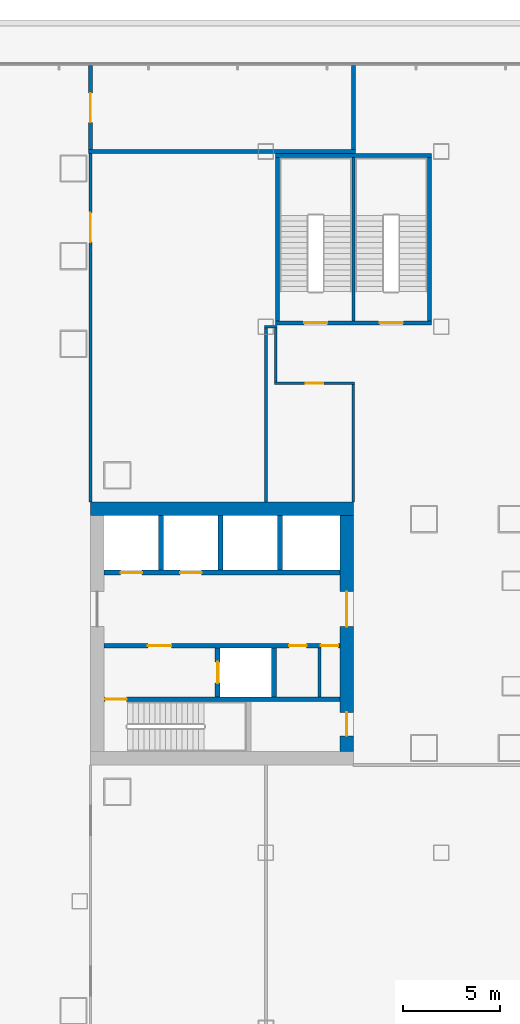
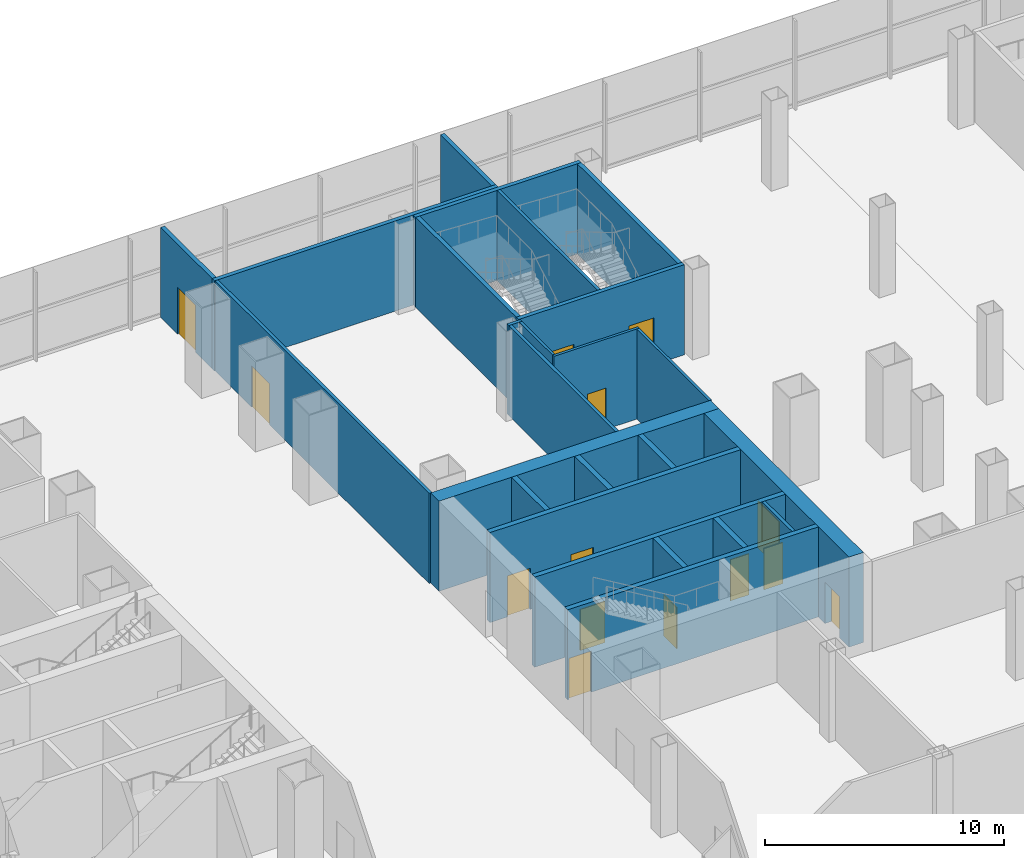
# One storey, part 22 of 33: 25 walls, 14 doors, 14 openings.
"""IFC4 building model written with IfcOpenShell, lengths in metres."""

from ifc_helpers import new_model, si_unit, direction, frame, frame_2d, origin, place, context, subcontext, project, spatial, rectangle, extrude, material, layer, layer_set, type_object, element, fill, save


model = new_model("IFC4")

# Units and contexts
model_context = context("Model", 3, precision=1e-05, world=origin(), true_north=direction((0.0, 1.0)))
body_context = subcontext(model_context, "Body", "Model", "MODEL_VIEW")
ifc_project = project(units=[si_unit("LENGTHUNIT", "METRE"), si_unit("AREAUNIT", "SQUARE_METRE"), si_unit("VOLUMEUNIT", "CUBIC_METRE"), si_unit("PLANEANGLEUNIT", "RADIAN"), si_unit("MASSUNIT", "GRAM", prefix="KILO")], contexts=[model_context])

# Site, building, storey
site_placement = place(None, origin())
site = spatial("IfcSite", under=ifc_project, at=site_placement, CompositionType="ELEMENT")
building_placement = place(site_placement, origin())
building = spatial("IfcBuilding", under=site, at=building_placement, Name="Shamsa Quay Exchange Towers", CompositionType="ELEMENT")
storey_placement = place(building_placement, frame((0.0, 0.0, 18.5)))
storey = spatial("IfcBuildingStorey", under=building, at=storey_placement, Name="L03", CompositionType="ELEMENT", Elevation=18.5)

# Wall
ifc_material_1 = material(Name="Concrete C80/95", Category="concrete")
ifc_layer_1 = layer(ifc_material_1, 0.699951171875)
ifc_layer_set_1 = layer_set([ifc_layer_1], Name="CORE WALL 700 C80/95")
wall_type_1 = type_object("IfcWallType", Name="CORE WALL 700 C80/95", PredefinedType="SHEAR", material=ifc_layer_set_1)
wall_1_placement = place(storey_placement, frame((-27.0, 6.39990234375, 0.0)))
element("IfcWall", 1, at=wall_1_placement, inside=storey, type_object=wall_type_1, Name="Core wall T1A-L03-PN", PredefinedType="SHEAR", context=body_context, shape_type="SweptSolid", body=[
    extrude(rectangle(XDim=13.5, YDim=0.699951171875, at=frame_2d((6.75, 0.0))), origin(), (0.0, 0.0, 1.0), 4.60009765625),
])

# Wall, openings, doors
wall_2_placement = place(storey_placement, frame((-13.85009765625, 6.050048828125, 0.0), z_axis=(0.0, 0.0, 1.0), x_axis=(0.0, -1.0, 0.0)))
wall_2 = element("IfcWall", 2, at=wall_2_placement, inside=storey, type_object=wall_type_1, Name="Core wall T1A-L03-PB", PredefinedType="SHEAR", context=body_context, shape_type="SweptSolid", body=[
    extrude(rectangle(XDim=12.10009765625, YDim=0.699951171875, at=frame_2d((6.050048828125, 0.0))), origin(), (0.0, 0.0, 1.0), 4.60009765625),
])
opening_1_placement = place(wall_2_placement, frame((10.10009765625, 0.0, 0.0)))
opening_1 = element("IfcOpeningElement", 3, at=opening_1_placement, cuts=wall_2, Name="Opening T1A-L03-RD02", PredefinedType="OPENING", context=body_context, shape_type="SweptSolid", body=[
    extrude(rectangle(XDim=1.199951171875, YDim=2.10009765625, at=frame_2d((0.60009765625, 1.050048828125))), frame((0.0, 0.35986328125, 0.0), z_axis=(0.0, -1.0, 0.0), x_axis=(1.0, 0.0, 0.0)), (0.0, 0.0, 1.0), 0.719970703125),
])
opening_2_placement = place(wall_2_placement, frame((3.89990234375, 0.0, 0.0)))
opening_2 = element("IfcOpeningElement", 4, at=opening_2_placement, cuts=wall_2, Name="Opening T1A-L03-LBD03", PredefinedType="OPENING", context=body_context, shape_type="SweptSolid", body=[
    extrude(rectangle(XDim=1.800048828125, YDim=2.39990234375, at=frame_2d((0.89990234375, 1.199951171875))), frame((0.0, 0.35986328125, 0.0), z_axis=(0.0, -1.0, 0.0), x_axis=(1.0, 0.0, 0.0)), (0.0, 0.0, 1.0), 0.719970703125),
])
ifc_material_2 = material(Name="Steel, fire rated", Category="steel")
door_type_1 = type_object("IfcDoorType", Name="LIFT LOBBY DOOR PAIR 1800", OperationType="DOUBLE_DOOR_SINGLE_SWING", PredefinedType="DOOR", material=ifc_material_2)
door_1_placement = place(opening_2_placement, origin())
door_1 = element("IfcDoor", 5, at=door_1_placement, inside=storey, type_object=door_type_1, Name="T1A-L03-LBD03", OperationType="DOUBLE_DOOR_SINGLE_SWING", OverallHeight=2.39990234375, OverallWidth=1.800048828125, PredefinedType="DOOR", context=body_context, shape_type="SweptSolid", body=[
    extrude(rectangle(XDim=1.800048828125, YDim=2.39990234375, at=frame_2d((0.89990234375, 1.199951171875))), frame((0.0, 0.02490234375, 0.0), z_axis=(0.0, -1.0, 0.0), x_axis=(1.0, 0.0, 0.0)), (0.0, 0.0, 1.0), 0.050048828125),
])
fill(opening_2, door_1)
door_type_2 = type_object("IfcDoorType", Name="RISER ACCESS DOOR 1200", OperationType="SINGLE_SWING_LEFT", PredefinedType="DOOR", material=ifc_material_2)
door_2_placement = place(opening_1_placement, origin())
door_2 = element("IfcDoor", 6, at=door_2_placement, inside=storey, type_object=door_type_2, Name="T1A-L03-RD02", OperationType="SINGLE_SWING_RIGHT", OverallHeight=2.10009765625, OverallWidth=1.199951171875, PredefinedType="DOOR", context=body_context, shape_type="SweptSolid", body=[
    extrude(rectangle(XDim=1.199951171875, YDim=2.10009765625, at=frame_2d((0.60009765625, 1.050048828125))), frame((0.0, 0.02490234375, 0.0), z_axis=(0.0, -1.0, 0.0), x_axis=(1.0, 0.0, 0.0)), (0.0, 0.0, 1.0), 0.050048828125),
])
fill(opening_1, door_2)

# Walls
ifc_material_3 = material(Name="Gypsum board on steel studs, EI 60", Category="steel")
ifc_layer_2 = layer(ifc_material_3, 0.14990234375)
ifc_layer_set_2 = layer_set([ifc_layer_2], Name="FIRE PARTITION 150")
wall_type_2 = type_object("IfcWallType", Name="FIRE PARTITION 150", PredefinedType="PARTITIONING", material=ifc_layer_set_2)
wall_3_placement = place(storey_placement, frame((-15.25, -3.25, 0.0), z_axis=(0.0, 0.0, 1.0), x_axis=(0.0, 1.0, 0.0)))
element("IfcWall", 7, at=wall_3_placement, inside=storey, type_object=wall_type_2, Name="Partition T1A-L03-EC0", PredefinedType="PARTITIONING", context=body_context, shape_type="SweptSolid", body=[
    extrude(rectangle(XDim=2.5, YDim=0.14990234375, at=frame_2d((1.25, 0.0))), origin(), (0.0, 0.0, 1.0), 4.60009765625),
])
ifc_material_4 = material(Name="Laminated fire-resisting glass in a metal frame", Category="glass")
ifc_layer_3 = layer(ifc_material_4, 0.125)
ifc_layer_set_3 = layer_set([ifc_layer_3], Name="Glazed partition 125 mm EI 60")
wall_type_3 = type_object("IfcWallType", Name="Glazed partition 125 mm EI 60", PredefinedType="PARTITIONING", material=ifc_layer_set_3)
wall_4_placement = place(storey_placement, frame((-13.5, 6.75, 0.0), z_axis=(0.0, 0.0, 1.0), x_axis=(0.0, 1.0, 0.0)))
element("IfcWall", 8, at=wall_4_placement, inside=storey, type_object=wall_type_3, Name="Partition PD-L03-W23", PredefinedType="PARTITIONING", context=body_context, shape_type="SweptSolid", body=[
    extrude(rectangle(XDim=6.037109375, YDim=0.125, at=frame_2d((3.0185546875, 0.0))), origin(), (0.0, 0.0, 1.0), 4.60009765625),
])

# Wall, opening, door
wall_5_placement = place(storey_placement, frame((-13.4375, 12.849609375, 0.0), z_axis=(0.0, 0.0, 1.0), x_axis=(-1.0, 0.0, 0.0)))
wall_5 = element("IfcWall", 9, at=wall_5_placement, inside=storey, type_object=wall_type_3, Name="Partition PD-L03-W41", PredefinedType="PARTITIONING", context=body_context, shape_type="SweptSolid", body=[
    extrude(rectangle(XDim=4.125, YDim=0.125, at=frame_2d((2.0625, 0.0))), origin(), (0.0, 0.0, 1.0), 4.60009765625),
])
opening_3_placement = place(wall_5_placement, frame((1.612548828125, 0.0, 0.0)))
opening_3 = element("IfcOpeningElement", 10, at=opening_3_placement, cuts=wall_5, Name="Opening PD-L03-D17", PredefinedType="OPENING", context=body_context, shape_type="SweptSolid", body=[
    extrude(rectangle(XDim=0.89990234375, YDim=2.10009765625, at=frame_2d((0.449951171875, 1.050048828125))), frame((0.0, 0.072509765625, 0.0), z_axis=(0.0, -1.0, 0.0), x_axis=(1.0, 0.0, 0.0)), (0.0, 0.0, 1.0), 0.14501953125),
])
ifc_material_5 = material(Name="Timber door leaf in a metal frame", Category="wood")
door_type_3 = type_object("IfcDoorType", Name="Door 900x2100 FD30S", OperationType="NOTDEFINED", PredefinedType="DOOR", material=ifc_material_5)
door_3_placement = place(opening_3_placement, origin())
door_3 = element("IfcDoor", 11, at=door_3_placement, inside=storey, type_object=door_type_3, Name="Door PD-L03-D17", OperationType="SINGLE_SWING_RIGHT", OverallHeight=2.10009765625, OverallWidth=0.89990234375, PredefinedType="DOOR", context=body_context, shape_type="SweptSolid", body=[
    extrude(rectangle(XDim=0.89990234375, YDim=2.10009765625, at=frame_2d((0.449951171875, 1.050048828125))), frame((0.0, 0.02490234375, 0.0), z_axis=(0.0, -1.0, 0.0), x_axis=(1.0, 0.0, 0.0)), (0.0, 0.0, 1.0), 0.050048828125),
])
fill(opening_3, door_3)

# Wall
wall_6_placement = place(storey_placement, frame((-17.5, 12.912109375, 0.0), z_axis=(0.0, 0.0, 1.0), x_axis=(0.0, 1.0, 0.0)))
element("IfcWall", 12, at=wall_6_placement, inside=storey, type_object=wall_type_3, Name="Partition PD-L03-W44", PredefinedType="PARTITIONING", context=body_context, shape_type="SweptSolid", body=[
    extrude(rectangle(XDim=2.762939453125, YDim=0.125, at=frame_2d((1.38134765625, 0.0))), origin(), (0.0, 0.0, 1.0), 4.60009765625),
])

# Wall, opening, door
ifc_material_6 = material(Name="Gypsum board partition on metal studs")
ifc_layer_4 = layer(ifc_material_6, 0.14990234375)
ifc_layer_set_4 = layer_set([ifc_layer_4], Name="Partition 150 mm EI 60")
wall_type_4 = type_object("IfcWallType", Name="Partition 150 mm EI 60", PredefinedType="PARTITIONING", material=ifc_layer_set_4)
wall_7_placement = place(storey_placement, frame((-27.0, 24.64990234375, 0.0), z_axis=(0.0, 0.0, 1.0), x_axis=(0.0, -1.0, 0.0)))
wall_7 = element("IfcWall", 13, at=wall_7_placement, inside=storey, type_object=wall_type_4, Name="Partition PD-L03-W01", PredefinedType="PARTITIONING", context=body_context, shape_type="SweptSolid", body=[
    extrude(rectangle(XDim=17.89990234375, YDim=0.14990234375, at=frame_2d((8.949951171875, 0.0))), origin(), (0.0, 0.0, 1.0), 4.60009765625),
])
opening_4_placement = place(wall_7_placement, frame((3.050048828125, 0.0, 0.0)))
opening_4 = element("IfcOpeningElement", 14, at=opening_4_placement, cuts=wall_7, Name="Opening PD-L03-D15", PredefinedType="OPENING", context=body_context, shape_type="SweptSolid", body=[
    extrude(rectangle(XDim=1.5, YDim=2.10009765625, at=frame_2d((0.75, 1.050048828125))), frame((0.0, 0.0849609375, 0.0), z_axis=(0.0, -1.0, 0.0), x_axis=(1.0, 0.0, 0.0)), (0.0, 0.0, 1.0), 0.169921875),
])
door_type_4 = type_object("IfcDoorType", Name="Door 1500x2100 FD30S pair", OperationType="NOTDEFINED", PredefinedType="DOOR", material=ifc_material_5)
door_4_placement = place(opening_4_placement, origin())
door_4 = element("IfcDoor", 15, at=door_4_placement, inside=storey, type_object=door_type_4, Name="Door PD-L03-D15", OperationType="DOUBLE_DOOR_SINGLE_SWING", OverallHeight=2.10009765625, OverallWidth=1.5, PredefinedType="DOOR", context=body_context, shape_type="SweptSolid", body=[
    extrude(rectangle(XDim=1.5, YDim=2.10009765625, at=frame_2d((0.75, 1.050048828125))), frame((0.0, 0.02490234375, 0.0), z_axis=(0.0, -1.0, 0.0), x_axis=(1.0, 0.0, 0.0)), (0.0, 0.0, 1.0), 0.050048828125),
])
fill(opening_4, door_4)

# Walls
wall_8_placement = place(storey_placement, frame((-18.074951171875, 15.75, 0.0)))
element("IfcWall", 16, at=wall_8_placement, inside=storey, type_object=wall_type_4, Name="Partition PD-L03-W61", PredefinedType="PARTITIONING", context=body_context, shape_type="SweptSolid", body=[
    extrude(rectangle(XDim=0.637451171875, YDim=0.14990234375, at=frame_2d((0.31884765625, 0.0))), origin(), (0.0, 0.0, 1.0), 4.60009765625),
])
wall_9_placement = place(storey_placement, frame((-18.0, 6.75, 0.0), z_axis=(0.0, 0.0, 1.0), x_axis=(0.0, 1.0, 0.0)))
element("IfcWall", 17, at=wall_9_placement, inside=storey, type_object=wall_type_4, Name="Partition PD-L03-W88", PredefinedType="PARTITIONING", context=body_context, shape_type="SweptSolid", body=[
    extrude(rectangle(XDim=8.925048828125, YDim=0.14990234375, at=frame_2d((4.46240234375, 0.0))), origin(), (0.0, 0.0, 1.0), 4.60009765625),
])

# Wall, opening, door
ifc_layer_5 = layer(ifc_material_6, 0.199951171875)
ifc_layer_set_5 = layer_set([ifc_layer_5], Name="Partition 200 mm EI 90")
wall_type_5 = type_object("IfcWallType", Name="Partition 200 mm EI 90", PredefinedType="PARTITIONING", material=ifc_layer_set_5)
wall_10_placement = place(storey_placement, frame((-27.0, 29.155029296875, 0.0), z_axis=(0.0, 0.0, 1.0), x_axis=(0.0, -1.0, 0.0)))
wall_10 = element("IfcWall", 18, at=wall_10_placement, inside=storey, type_object=wall_type_5, Name="Partition PD-L03-W06", PredefinedType="PARTITIONING", context=body_context, shape_type="SweptSolid", body=[
    extrude(rectangle(XDim=4.304931640625, YDim=0.199951171875, at=frame_2d((2.15234375, 0.0))), origin(), (0.0, 0.0, 1.0), 4.60009765625),
])
opening_5_placement = place(wall_10_placement, frame((1.405029296875, 0.0, 0.0)))
opening_5 = element("IfcOpeningElement", 19, at=opening_5_placement, cuts=wall_10, Name="Opening PD-L03-D16", PredefinedType="OPENING", context=body_context, shape_type="SweptSolid", body=[
    extrude(rectangle(XDim=1.5, YDim=2.39990234375, at=frame_2d((0.75, 1.199951171875))), frame((0.0, 0.10986328125, 0.0), z_axis=(0.0, -1.0, 0.0), x_axis=(1.0, 0.0, 0.0)), (0.0, 0.0, 1.0), 0.219970703125),
])
door_type_5 = type_object("IfcDoorType", Name="Door 1500x2400 FD30S pair", OperationType="NOTDEFINED", PredefinedType="DOOR", material=ifc_material_5)
door_5_placement = place(opening_5_placement, origin())
door_5 = element("IfcDoor", 20, at=door_5_placement, inside=storey, type_object=door_type_5, Name="Door PD-L03-D16", OperationType="DOUBLE_DOOR_SINGLE_SWING", OverallHeight=2.39990234375, OverallWidth=1.5, PredefinedType="DOOR", context=body_context, shape_type="SweptSolid", body=[
    extrude(rectangle(XDim=1.5, YDim=2.39990234375, at=frame_2d((0.75, 1.199951171875))), frame((0.0, 0.02490234375, 0.0), z_axis=(0.0, -1.0, 0.0), x_axis=(1.0, 0.0, 0.0)), (0.0, 0.0, 1.0), 0.050048828125),
])
fill(opening_5, door_5)

# Walls
wall_11_placement = place(storey_placement, frame((-13.5, 24.85009765625, 0.0), z_axis=(0.0, 0.0, 1.0), x_axis=(0.0, 1.0, 0.0)))
element("IfcWall", 21, at=wall_11_placement, inside=storey, type_object=wall_type_5, Name="Partition PD-L03-W20", PredefinedType="PARTITIONING", context=body_context, shape_type="SweptSolid", body=[
    extrude(rectangle(XDim=4.304931640625, YDim=0.199951171875, at=frame_2d((2.15234375, 0.0))), origin(), (0.0, 0.0, 1.0), 4.60009765625),
])
wall_12_placement = place(storey_placement, frame((-13.39990234375, 24.75, 0.0), z_axis=(0.0, 0.0, 1.0), x_axis=(-1.0, 0.0, 0.0)))
element("IfcWall", 22, at=wall_12_placement, inside=storey, type_object=wall_type_5, Name="Partition PD-L03-W87", PredefinedType="PARTITIONING", context=body_context, shape_type="SweptSolid", body=[
    extrude(rectangle(XDim=13.7001953125, YDim=0.199951171875, at=frame_2d((6.85009765625, 0.0))), origin(), (0.0, 0.0, 1.0), 4.60009765625),
])

# Wall, opening, door
ifc_material_7 = material(Name="Concrete C50/60", Category="concrete")
ifc_layer_6 = layer(ifc_material_7, 0.25)
ifc_layer_set_6 = layer_set([ifc_layer_6], Name="SHAFT WALL 250 C50/60")
wall_type_6 = type_object("IfcWallType", Name="SHAFT WALL 250 C50/60", PredefinedType="SHEAR", material=ifc_layer_set_6)
wall_13_placement = place(storey_placement, frame((-14.199951171875, -3.375, 0.0), z_axis=(0.0, 0.0, 1.0), x_axis=(-1.0, 0.0, 0.0)))
wall_13 = element("IfcWall", 23, at=wall_13_placement, inside=storey, type_object=wall_type_6, Name="Shaft wall T1A-L03-STL", PredefinedType="SHEAR", context=body_context, shape_type="SweptSolid", body=[
    extrude(rectangle(XDim=12.10009765625, YDim=0.25, at=frame_2d((6.050048828125, 0.0))), origin(), (0.0, 0.0, 1.0), 4.60009765625),
])
opening_6_placement = place(wall_13_placement, frame((10.949951171875, 0.0, 0.0)))
opening_6 = element("IfcOpeningElement", 24, at=opening_6_placement, cuts=wall_13, Name="Opening T1A-L03-SD04", PredefinedType="OPENING", context=body_context, shape_type="SweptSolid", body=[
    extrude(rectangle(XDim=1.10009765625, YDim=2.10009765625, at=frame_2d((0.550048828125, 1.050048828125))), frame((0.0, 0.135009765625, 0.0), z_axis=(0.0, -1.0, 0.0), x_axis=(1.0, 0.0, 0.0)), (0.0, 0.0, 1.0), 0.27001953125),
])
door_type_6 = type_object("IfcDoorType", Name="STAIR DOOR 1100", OperationType="SINGLE_SWING_LEFT", PredefinedType="DOOR", material=ifc_material_2)
door_6_placement = place(opening_6_placement, origin())
door_6 = element("IfcDoor", 25, at=door_6_placement, inside=storey, type_object=door_type_6, Name="T1A-L03-SD04", OperationType="SINGLE_SWING_RIGHT", OverallHeight=2.10009765625, OverallWidth=1.10009765625, PredefinedType="DOOR", context=body_context, shape_type="SweptSolid", body=[
    extrude(rectangle(XDim=1.10009765625, YDim=2.10009765625, at=frame_2d((0.550048828125, 1.050048828125))), frame((0.0, 0.02490234375, 0.0), z_axis=(0.0, -1.0, 0.0), x_axis=(1.0, 0.0, 0.0)), (0.0, 0.0, 1.0), 0.050048828125),
])
fill(opening_6, door_6)

# Wall, openings, doors
wall_14_placement = place(storey_placement, frame((-14.199951171875, -0.625, 0.0), z_axis=(0.0, 0.0, 1.0), x_axis=(-1.0, 0.0, 0.0)))
wall_14 = element("IfcWall", 26, at=wall_14_placement, inside=storey, type_object=wall_type_6, Name="Shaft wall T1A-L03-B", PredefinedType="SHEAR", context=body_context, shape_type="SweptSolid", body=[
    extrude(rectangle(XDim=12.10009765625, YDim=0.25, at=frame_2d((6.050048828125, 0.0))), origin(), (0.0, 0.0, 1.0), 4.60009765625),
])
opening_7_placement = place(wall_14_placement, frame((8.64990234375, 0.0, 0.0)))
opening_7 = element("IfcOpeningElement", 27, at=opening_7_placement, cuts=wall_14, Name="Opening T1A-L03-FD05", PredefinedType="OPENING", context=body_context, shape_type="SweptSolid", body=[
    extrude(rectangle(XDim=1.199951171875, YDim=2.10009765625, at=frame_2d((0.60009765625, 1.050048828125))), frame((0.0, 0.135009765625, 0.0), z_axis=(0.0, -1.0, 0.0), x_axis=(1.0, 0.0, 0.0)), (0.0, 0.0, 1.0), 0.27001953125),
])
opening_8_placement = place(wall_14_placement, frame((1.699951171875, 0.0, 0.0)))
opening_8 = element("IfcOpeningElement", 28, at=opening_8_placement, cuts=wall_14, Name="Opening T1A-L03-SV06", PredefinedType="OPENING", context=body_context, shape_type="SweptSolid", body=[
    extrude(rectangle(XDim=0.89990234375, YDim=2.10009765625, at=frame_2d((0.449951171875, 1.050048828125))), frame((0.0, 0.135009765625, 0.0), z_axis=(0.0, -1.0, 0.0), x_axis=(1.0, 0.0, 0.0)), (0.0, 0.0, 1.0), 0.27001953125),
])
opening_9_placement = place(wall_14_placement, frame((0.074951171875, 0.0, 0.0)))
opening_9 = element("IfcOpeningElement", 29, at=opening_9_placement, cuts=wall_14, Name="Opening T1A-L03-SV07", PredefinedType="OPENING", context=body_context, shape_type="SweptSolid", body=[
    extrude(rectangle(XDim=0.89990234375, YDim=2.10009765625, at=frame_2d((0.449951171875, 1.050048828125))), frame((0.0, 0.135009765625, 0.0), z_axis=(0.0, -1.0, 0.0), x_axis=(1.0, 0.0, 0.0)), (0.0, 0.0, 1.0), 0.27001953125),
])
door_type_7 = type_object("IfcDoorType", Name="FIRE SERVICE LOBBY DOOR 1200", OperationType="SINGLE_SWING_LEFT", PredefinedType="DOOR", material=ifc_material_2)
door_7_placement = place(opening_7_placement, origin())
door_7 = element("IfcDoor", 30, at=door_7_placement, inside=storey, type_object=door_type_7, Name="T1A-L03-FD05", OperationType="SINGLE_SWING_RIGHT", OverallHeight=2.10009765625, OverallWidth=1.199951171875, PredefinedType="DOOR", context=body_context, shape_type="SweptSolid", body=[
    extrude(rectangle(XDim=1.199951171875, YDim=2.10009765625, at=frame_2d((0.60009765625, 1.050048828125))), frame((0.0, 0.02490234375, 0.0), z_axis=(0.0, -1.0, 0.0), x_axis=(1.0, 0.0, 0.0)), (0.0, 0.0, 1.0), 0.050048828125),
])
fill(opening_7, door_7)
door_type_8 = type_object("IfcDoorType", Name="SERVICE ROOM DOOR 900", OperationType="SINGLE_SWING_LEFT", PredefinedType="DOOR", material=ifc_material_2)
door_8_placement = place(opening_8_placement, origin())
door_8 = element("IfcDoor", 31, at=door_8_placement, inside=storey, type_object=door_type_8, Name="T1A-L03-SV06", OperationType="SINGLE_SWING_LEFT", OverallHeight=2.10009765625, OverallWidth=0.89990234375, PredefinedType="DOOR", context=body_context, shape_type="SweptSolid", body=[
    extrude(rectangle(XDim=0.89990234375, YDim=2.10009765625, at=frame_2d((0.449951171875, 1.050048828125))), frame((0.0, 0.02490234375, 0.0), z_axis=(0.0, -1.0, 0.0), x_axis=(1.0, 0.0, 0.0)), (0.0, 0.0, 1.0), 0.050048828125),
])
fill(opening_8, door_8)
door_9_placement = place(opening_9_placement, origin())
door_9 = element("IfcDoor", 32, at=door_9_placement, inside=storey, type_object=door_type_8, Name="T1A-L03-SV07", OperationType="SINGLE_SWING_LEFT", OverallHeight=2.10009765625, OverallWidth=0.89990234375, PredefinedType="DOOR", context=body_context, shape_type="SweptSolid", body=[
    extrude(rectangle(XDim=0.89990234375, YDim=2.10009765625, at=frame_2d((0.449951171875, 1.050048828125))), frame((0.0, 0.02490234375, 0.0), z_axis=(0.0, -1.0, 0.0), x_axis=(1.0, 0.0, 0.0)), (0.0, 0.0, 1.0), 0.050048828125),
])
fill(opening_9, door_9)

# Wall, opening, door
wall_15_placement = place(storey_placement, frame((-20.47509765625, -3.25, 0.0), z_axis=(0.0, 0.0, 1.0), x_axis=(0.0, 1.0, 0.0)))
wall_15 = element("IfcWall", 33, at=wall_15_placement, inside=storey, type_object=wall_type_6, Name="Shaft wall T1A-L03-FFF", PredefinedType="SHEAR", context=body_context, shape_type="SweptSolid", body=[
    extrude(rectangle(XDim=2.5, YDim=0.25, at=frame_2d((1.25, 0.0))), origin(), (0.0, 0.0, 1.0), 4.60009765625),
])
opening_10_placement = place(wall_15_placement, frame((0.699951171875, 0.0, 0.0)))
opening_10 = element("IfcOpeningElement", 34, at=opening_10_placement, cuts=wall_15, Name="Opening T1A-L03-LDF08", PredefinedType="OPENING", context=body_context, shape_type="SweptSolid", body=[
    extrude(rectangle(XDim=1.10009765625, YDim=2.10009765625, at=frame_2d((0.550048828125, 1.050048828125))), frame((0.0, 0.135009765625, 0.0), z_axis=(0.0, -1.0, 0.0), x_axis=(1.0, 0.0, 0.0)), (0.0, 0.0, 1.0), 0.27001953125),
])
door_type_9 = type_object("IfcDoorType", Name="FIRE SERVICE LANDING DOOR 1100", OperationType="SLIDING_TO_LEFT", PredefinedType="DOOR", material=ifc_material_2)
door_10_placement = place(opening_10_placement, origin())
door_10 = element("IfcDoor", 35, at=door_10_placement, inside=storey, type_object=door_type_9, Name="T1A-L03-LDF08", OperationType="SLIDING_TO_LEFT", OverallHeight=2.10009765625, OverallWidth=1.10009765625, PredefinedType="DOOR", context=body_context, shape_type="SweptSolid", body=[
    extrude(rectangle(XDim=1.10009765625, YDim=2.10009765625, at=frame_2d((0.550048828125, 1.050048828125))), frame((0.0, 0.02490234375, 0.0), z_axis=(0.0, -1.0, 0.0), x_axis=(1.0, 0.0, 0.0)), (0.0, 0.0, 1.0), 0.050048828125),
])
fill(opening_10, door_10)

# Wall
wall_16_placement = place(storey_placement, frame((-17.574951171875, -3.25, 0.0), z_axis=(0.0, 0.0, 1.0), x_axis=(0.0, 1.0, 0.0)))
element("IfcWall", 36, at=wall_16_placement, inside=storey, type_object=wall_type_6, Name="Shaft wall T1A-L03-FFB", PredefinedType="SHEAR", context=body_context, shape_type="SweptSolid", body=[
    extrude(rectangle(XDim=2.5, YDim=0.25, at=frame_2d((1.25, 0.0))), origin(), (0.0, 0.0, 1.0), 4.60009765625),
])

# Wall, openings, doors
wall_17_placement = place(storey_placement, frame((-26.300048828125, 3.125, 0.0)))
wall_17 = element("IfcWall", 37, at=wall_17_placement, inside=storey, type_object=wall_type_6, Name="Shaft wall T1A-L03-N", PredefinedType="SHEAR", context=body_context, shape_type="SweptSolid", body=[
    extrude(rectangle(XDim=12.10009765625, YDim=0.25, at=frame_2d((6.050048828125, 0.0))), origin(), (0.0, 0.0, 1.0), 4.60009765625),
])
opening_11_placement = place(wall_17_placement, frame((0.85009765625, 0.0, 0.0)))
opening_11 = element("IfcOpeningElement", 38, at=opening_11_placement, cuts=wall_17, Name="Opening T1A-L03-LD09", PredefinedType="OPENING", context=body_context, shape_type="SweptSolid", body=[
    extrude(rectangle(XDim=1.10009765625, YDim=2.10009765625, at=frame_2d((0.550048828125, 1.050048828125))), frame((0.0, 0.135009765625, 0.0), z_axis=(0.0, -1.0, 0.0), x_axis=(1.0, 0.0, 0.0)), (0.0, 0.0, 1.0), 0.27001953125),
])
opening_12_placement = place(wall_17_placement, frame((3.89990234375, 0.0, 0.0)))
opening_12 = element("IfcOpeningElement", 39, at=opening_12_placement, cuts=wall_17, Name="Opening T1A-L03-LD10", PredefinedType="OPENING", context=body_context, shape_type="SweptSolid", body=[
    extrude(rectangle(XDim=1.10009765625, YDim=2.10009765625, at=frame_2d((0.550048828125, 1.050048828125))), frame((0.0, 0.135009765625, 0.0), z_axis=(0.0, -1.0, 0.0), x_axis=(1.0, 0.0, 0.0)), (0.0, 0.0, 1.0), 0.27001953125),
])
door_type_10 = type_object("IfcDoorType", Name="LANDING DOOR 1100", OperationType="SLIDING_TO_LEFT", PredefinedType="DOOR", material=ifc_material_2)
door_11_placement = place(opening_11_placement, origin())
door_11 = element("IfcDoor", 40, at=door_11_placement, inside=storey, type_object=door_type_10, Name="T1A-L03-LD09", OperationType="SLIDING_TO_LEFT", OverallHeight=2.10009765625, OverallWidth=1.10009765625, PredefinedType="DOOR", context=body_context, shape_type="SweptSolid", body=[
    extrude(rectangle(XDim=1.10009765625, YDim=2.10009765625, at=frame_2d((0.550048828125, 1.050048828125))), frame((0.0, 0.02490234375, 0.0), z_axis=(0.0, -1.0, 0.0), x_axis=(1.0, 0.0, 0.0)), (0.0, 0.0, 1.0), 0.050048828125),
])
fill(opening_11, door_11)
door_12_placement = place(opening_12_placement, origin())
door_12 = element("IfcDoor", 41, at=door_12_placement, inside=storey, type_object=door_type_10, Name="T1A-L03-LD10", OperationType="SLIDING_TO_LEFT", OverallHeight=2.10009765625, OverallWidth=1.10009765625, PredefinedType="DOOR", context=body_context, shape_type="SweptSolid", body=[
    extrude(rectangle(XDim=1.10009765625, YDim=2.10009765625, at=frame_2d((0.550048828125, 1.050048828125))), frame((0.0, 0.02490234375, 0.0), z_axis=(0.0, -1.0, 0.0), x_axis=(1.0, 0.0, 0.0)), (0.0, 0.0, 1.0), 0.050048828125),
])
fill(opening_12, door_12)

# Walls
for number, where, z_axis, x_axis, name in (
    (42, (-23.375, 3.25, 0.0), (0.0, 0.0, 1.0), (0.0, 1.0, 0.0), "Shaft wall T1A-L03-D0"),
    (43, (-20.324951171875, 3.25, 0.0), (0.0, 0.0, 1.0), (0.0, 1.0, 0.0), "Shaft wall T1A-L03-D1"),
    (44, (-17.27490234375, 3.25, 0.0), (0.0, 0.0, 1.0), (0.0, 1.0, 0.0), "Shaft wall T1A-L03-D2"),
):
    element("IfcWall", number, at=place(storey_placement, frame(where, z_axis=z_axis, x_axis=x_axis)), inside=storey, type_object=wall_type_6, Name=name, PredefinedType="SHEAR", context=body_context, shape_type="SweptSolid", body=[
        extrude(rectangle(XDim=2.800048828125, YDim=0.25, at=frame_2d((1.39990234375, 0.0))), origin(), (0.0, 0.0, 1.0), 4.60009765625),
    ])

# Wall, openings, doors
ifc_layer_7 = layer(ifc_material_7, 0.199951171875)
ifc_layer_set_7 = layer_set([ifc_layer_7], Name="STAIR ENCLOSURE WALL 200 C50/60")
wall_type_7 = type_object("IfcWallType", Name="STAIR ENCLOSURE WALL 200 C50/60", PredefinedType="SHEAR", material=ifc_layer_set_7)
wall_18_placement = place(storey_placement, frame((-17.5, 15.949951171875, 0.0)))
wall_18 = element("IfcWall", 45, at=wall_18_placement, inside=storey, type_object=wall_type_7, Name="Stair enclosure wall PS2 inward", PredefinedType="SHEAR", context=body_context, shape_type="SweptSolid", body=[
    extrude(rectangle(XDim=8.0, YDim=0.199951171875, at=frame_2d((4.0, 0.0))), origin(), (0.0, 0.0, 1.0), 4.60009765625),
])
opening_13_placement = place(wall_18_placement, frame((1.46240234375, 0.0, 0.0)))
opening_13 = element("IfcOpeningElement", 46, at=opening_13_placement, cuts=wall_18, Name="Opening PS2A-L03-SD01", PredefinedType="OPENING", context=body_context, shape_type="SweptSolid", body=[
    extrude(rectangle(XDim=1.199951171875, YDim=2.39990234375, at=frame_2d((0.60009765625, 1.199951171875))), frame((0.0, 0.10986328125, 0.0), z_axis=(0.0, -1.0, 0.0), x_axis=(1.0, 0.0, 0.0)), (0.0, 0.0, 1.0), 0.219970703125),
])
opening_14_placement = place(wall_18_placement, frame((5.33740234375, 0.0, 0.0)))
opening_14 = element("IfcOpeningElement", 47, at=opening_14_placement, cuts=wall_18, Name="Opening PS2B-L03-SD01", PredefinedType="OPENING", context=body_context, shape_type="SweptSolid", body=[
    extrude(rectangle(XDim=1.199951171875, YDim=2.39990234375, at=frame_2d((0.60009765625, 1.199951171875))), frame((0.0, 0.10986328125, 0.0), z_axis=(0.0, -1.0, 0.0), x_axis=(1.0, 0.0, 0.0)), (0.0, 0.0, 1.0), 0.219970703125),
])
door_type_11 = type_object("IfcDoorType", Name="PODIUM STAIR DOOR 1200", OperationType="SINGLE_SWING_LEFT", PredefinedType="DOOR", material=ifc_material_2)
door_13_placement = place(opening_13_placement, origin())
door_13 = element("IfcDoor", 48, at=door_13_placement, inside=storey, type_object=door_type_11, Name="PS2A-L03-SD01", OperationType="SINGLE_SWING_LEFT", OverallHeight=2.39990234375, OverallWidth=1.199951171875, PredefinedType="DOOR", context=body_context, shape_type="SweptSolid", body=[
    extrude(rectangle(XDim=1.199951171875, YDim=2.39990234375, at=frame_2d((0.60009765625, 1.199951171875))), frame((0.0, 0.02490234375, 0.0), z_axis=(0.0, -1.0, 0.0), x_axis=(1.0, 0.0, 0.0)), (0.0, 0.0, 1.0), 0.050048828125),
])
fill(opening_13, door_13)
door_14_placement = place(opening_14_placement, origin())
door_14 = element("IfcDoor", 49, at=door_14_placement, inside=storey, type_object=door_type_11, Name="PS2B-L03-SD01", OperationType="SINGLE_SWING_RIGHT", OverallHeight=2.39990234375, OverallWidth=1.199951171875, PredefinedType="DOOR", context=body_context, shape_type="SweptSolid", body=[
    extrude(rectangle(XDim=1.199951171875, YDim=2.39990234375, at=frame_2d((0.60009765625, 1.199951171875))), frame((0.0, 0.02490234375, 0.0), z_axis=(0.0, -1.0, 0.0), x_axis=(1.0, 0.0, 0.0)), (0.0, 0.0, 1.0), 0.050048828125),
])
fill(opening_14, door_14)

# Walls
wall_19_placement = place(storey_placement, frame((-17.5, 24.550048828125, 0.0)))
element("IfcWall", 50, at=wall_19_placement, inside=storey, type_object=wall_type_7, Name="Stair enclosure wall PS2 outward", PredefinedType="SHEAR", context=body_context, shape_type="SweptSolid", body=[
    extrude(rectangle(XDim=8.0, YDim=0.199951171875, at=frame_2d((4.0, 0.0))), origin(), (0.0, 0.0, 1.0), 4.60009765625),
])
for number, where, z_axis, x_axis, name in (
    (51, (-17.39990234375, 16.050048828125, 0.0), (0.0, 0.0, 1.0), (0.0, 1.0, 0.0), "Stair enclosure wall PS2 west"),
    (52, (-9.60009765625, 16.050048828125, 0.0), (0.0, 0.0, 1.0), (0.0, 1.0, 0.0), "Stair enclosure wall PS2 east"),
):
    element("IfcWall", number, at=place(storey_placement, frame(where, z_axis=z_axis, x_axis=x_axis)), inside=storey, type_object=wall_type_7, Name=name, PredefinedType="SHEAR", context=body_context, shape_type="SweptSolid", body=[
        extrude(rectangle(XDim=8.39990234375, YDim=0.199951171875, at=frame_2d((4.199951171875, 0.0))), origin(), (0.0, 0.0, 1.0), 4.60009765625),
    ])
ifc_layer_8 = layer(ifc_material_7, 0.14990234375)
ifc_layer_set_8 = layer_set([ifc_layer_8], Name="STAIR PARTITION WALL 150 C50/60")
wall_type_8 = type_object("IfcWallType", Name="STAIR PARTITION WALL 150 C50/60", PredefinedType="SHEAR", material=ifc_layer_set_8)
wall_20_placement = place(storey_placement, frame((-13.5, 16.050048828125, 0.0), z_axis=(0.0, 0.0, 1.0), x_axis=(0.0, 1.0, 0.0)))
element("IfcWall", 53, at=wall_20_placement, inside=storey, type_object=wall_type_8, Name="Stair enclosure wall PS2 between the stairs", PredefinedType="SHEAR", context=body_context, shape_type="SweptSolid", body=[
    extrude(rectangle(XDim=8.39990234375, YDim=0.14990234375, at=frame_2d((4.199951171875, 0.0))), origin(), (0.0, 0.0, 1.0), 4.60009765625),
])

save(model, "model.ifc")
